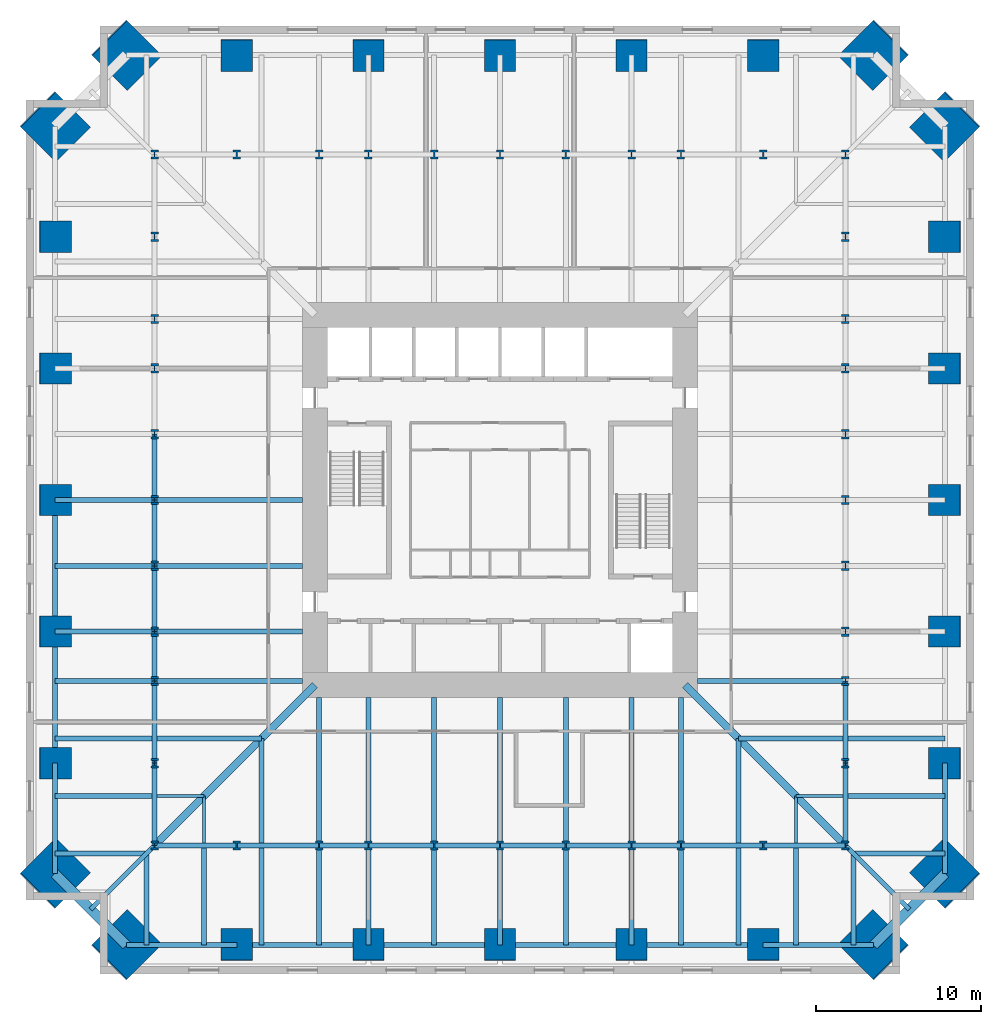
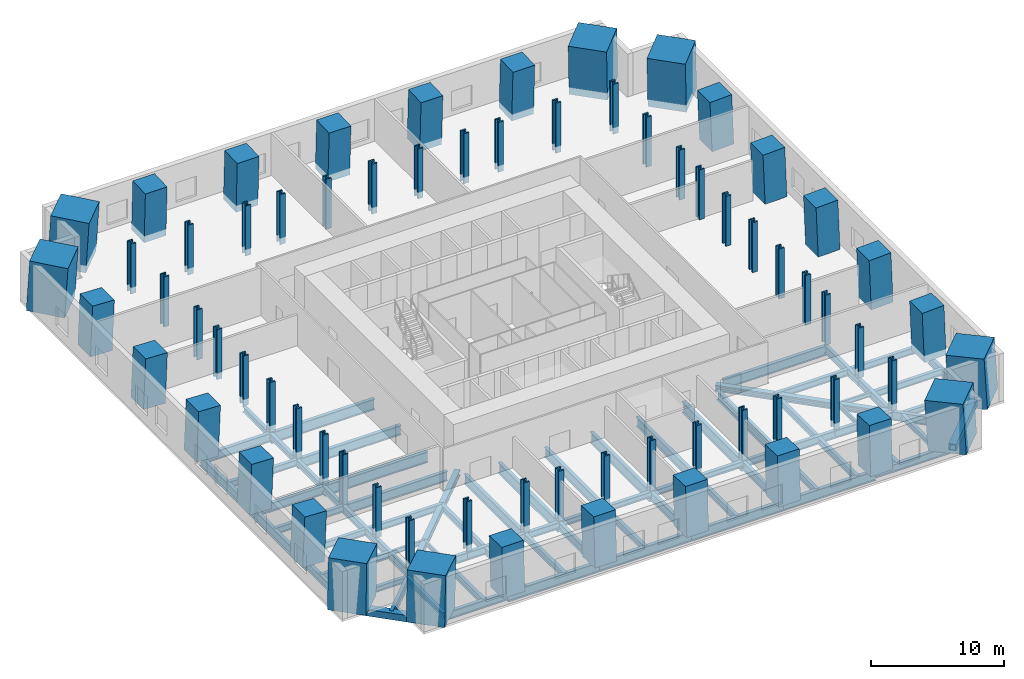
# One storey, part 1 of 8: 77 beams, 68 columns.
"""IFC4 building model written with IfcOpenShell, lengths in metres."""

from ifc_helpers import new_model, si_unit, direction, frame, origin, origin_2d, place, context, subcontext, project, spatial, rectangle, hollow_rectangle, i_section, extrude, material, material_profile, profile_set, type_object, element, save


model = new_model("IFC4")

# Units and contexts
model_context = context("Model", 3, precision=1e-05, world=origin(), true_north=direction((0.0, 1.0)))
body_context = subcontext(model_context, "Body", "Model", "MODEL_VIEW")
ifc_project = project(units=[si_unit("LENGTHUNIT", "METRE"), si_unit("AREAUNIT", "SQUARE_METRE"), si_unit("VOLUMEUNIT", "CUBIC_METRE"), si_unit("PLANEANGLEUNIT", "RADIAN"), si_unit("MASSUNIT", "GRAM", prefix="KILO")], contexts=[model_context])

# Site, building, storey
site_placement = place(None, origin())
site = spatial("IfcSite", under=ifc_project, at=site_placement, CompositionType="ELEMENT")
building_placement = place(site_placement, origin())
building = spatial("IfcBuilding", under=site, at=building_placement, Name="Peilmerk Tower", CompositionType="ELEMENT")
storey_placement = place(building_placement, frame((0.0, 0.0, 95.199951171875)))
storey = spatial("IfcBuildingStorey", under=building, at=storey_placement, Name="L18", CompositionType="ELEMENT", Elevation=95.199951171875)

# Columns
ifc_material_1 = material(Name="Concrete C90/105", Category="concrete")
ifc_material_profile_1 = material_profile(ifc_material_1, rectangle(XDim=3.0, YDim=3.0, at=origin_2d()), Name="RC 3000x3000")
ifc_profile_set_1 = profile_set([ifc_material_profile_1], Name="Concrete C90/105")
column_type_1 = type_object("IfcColumnType", Name="MC1 3000x3000 encased mega column", PredefinedType="COLUMN", material=ifc_profile_set_1)
for number, where, z_axis, x_axis, name in (
    (1, (22.7080078125, 27.05810546875, 0.0), (-0.040269957025, -0.040269957025, 0.998377013519), (0.707106781187, -0.707106781187, 0.0), "Mega column MC1 NE_N L18"),
    (2, (27.05810546875, 22.7080078125, 0.0), (-0.040269957025, -0.040269957025, 0.998377013519), (0.707106781187, -0.707106781187, 0.0), "Mega column MC1 NE_E L18"),
    (3, (27.05810546875, -22.7080078125, 0.0), (-0.040269957025, 0.040269957025, 0.998377013519), (-0.707106781187, -0.707106781187, 0.0), "Mega column MC1 SE_E L18"),
    (4, (22.7080078125, -27.05810546875, 0.0), (-0.040269957025, 0.040269957025, 0.998377013519), (-0.707106781187, -0.707106781187, 0.0), "Mega column MC1 SE_S L18"),
    (5, (-22.7080078125, -27.05810546875, 0.0), (0.040269957025, 0.040269957025, 0.998377013519), (-0.707106781187, 0.707106781187, 0.0), "Mega column MC1 SW_S L18"),
    (6, (-27.05810546875, -22.7080078125, 0.0), (0.040269957025, 0.040269957025, 0.998377013519), (-0.707106781187, 0.707106781187, 0.0), "Mega column MC1 SW_W L18"),
    (7, (-27.05810546875, 22.7080078125, 0.0), (0.040269957025, -0.040269957025, 0.998377013519), (0.707106781187, 0.707106781187, 0.0), "Mega column MC1 NW_W L18"),
    (8, (-22.7080078125, 27.05810546875, 0.0), (0.040269957025, -0.040269957025, 0.998377013519), (0.707106781187, 0.707106781187, 0.0), "Mega column MC1 NW_N L18"),
):
    element("IfcColumn", number, at=place(storey_placement, frame(where, z_axis=z_axis, x_axis=x_axis)), inside=storey, type_object=column_type_1, Name=name, PredefinedType="COLUMN", context=body_context, shape_type="SweptSolid", body=[
        extrude(rectangle(XDim=3.0, YDim=3.0, at=origin_2d()), origin(), (0.0, 0.0, 1.0), 4.607666015625),
    ])
ifc_material_profile_2 = material_profile(ifc_material_1, rectangle(XDim=1.89990234375, YDim=1.89990234375, at=origin_2d()), Name="RC 1900x1900")
ifc_profile_set_2 = profile_set([ifc_material_profile_2], Name="Concrete C90/105")
column_type_2 = type_object("IfcColumnType", Name="SC5 1900x1900 encased perimeter column", PredefinedType="COLUMN", material=ifc_profile_set_2)
for number, where, z_axis, x_axis, name in (
    (9, (0.0, 27.05810546875, 0.0), (0.0, -0.040302649072, 0.999187518176), (1.0, 0.0, 0.0), "Perimeter column N+0 L18"),
    (10, (8.0, 27.05810546875, 0.0), (0.0, -0.040302649072, 0.999187518176), (1.0, 0.0, 0.0), "Perimeter column N-8 L18"),
    (11, (-8.0, 27.05810546875, 0.0), (0.0, -0.040302649072, 0.999187518176), (1.0, 0.0, 0.0), "Perimeter column N+8 L18"),
    (12, (16.0, 27.05810546875, 0.0), (0.0, -0.040302649072, 0.999187518176), (1.0, 0.0, 0.0), "Perimeter column N-16 L18"),
    (13, (-16.0, 27.05810546875, 0.0), (0.0, -0.040302649072, 0.999187518176), (1.0, 0.0, 0.0), "Perimeter column N+16 L18"),
    (14, (27.05810546875, 0.0, 0.0), (-0.040302649072, 0.0, 0.999187518176), (0.0, -1.0, 0.0), "Perimeter column E+0 L18"),
    (15, (27.05810546875, -8.0, 0.0), (-0.040302649072, 0.0, 0.999187518176), (0.0, -1.0, 0.0), "Perimeter column E-8 L18"),
    (16, (27.05810546875, 8.0, 0.0), (-0.040302649072, 0.0, 0.999187518176), (0.0, -1.0, 0.0), "Perimeter column E+8 L18"),
    (17, (27.05810546875, -16.0, 0.0), (-0.040302649072, 0.0, 0.999187518176), (0.0, -1.0, 0.0), "Perimeter column E-16 L18"),
    (18, (27.05810546875, 16.0, 0.0), (-0.040302649072, 0.0, 0.999187518176), (0.0, -1.0, 0.0), "Perimeter column E+16 L18"),
    (19, (0.0, -27.05810546875, 0.0), (0.0, 0.040302649072, 0.999187518176), (-1.0, 0.0, 0.0), "Perimeter column S+0 L18"),
    (20, (-8.0, -27.05810546875, 0.0), (0.0, 0.040302649072, 0.999187518176), (-1.0, 0.0, 0.0), "Perimeter column S-8 L18"),
    (21, (8.0, -27.05810546875, 0.0), (0.0, 0.040302649072, 0.999187518176), (-1.0, 0.0, 0.0), "Perimeter column S+8 L18"),
    (22, (-16.0, -27.05810546875, 0.0), (0.0, 0.040302649072, 0.999187518176), (-1.0, 0.0, 0.0), "Perimeter column S-16 L18"),
    (23, (16.0, -27.05810546875, 0.0), (0.0, 0.040302649072, 0.999187518176), (-1.0, 0.0, 0.0), "Perimeter column S+16 L18"),
    (24, (-27.05810546875, 0.0, 0.0), (0.040302649072, 0.0, 0.999187518176), (0.0, 1.0, 0.0), "Perimeter column W+0 L18"),
    (25, (-27.05810546875, 8.0, 0.0), (0.040302649072, 0.0, 0.999187518176), (0.0, 1.0, 0.0), "Perimeter column W-8 L18"),
    (26, (-27.05810546875, -8.0, 0.0), (0.040302649072, 0.0, 0.999187518176), (0.0, 1.0, 0.0), "Perimeter column W+8 L18"),
    (27, (-27.05810546875, 16.0, 0.0), (0.040302649072, 0.0, 0.999187518176), (0.0, 1.0, 0.0), "Perimeter column W-16 L18"),
    (28, (-27.05810546875, -16.0, 0.0), (0.040302649072, 0.0, 0.999187518176), (0.0, 1.0, 0.0), "Perimeter column W+16 L18"),
):
    element("IfcColumn", number, at=place(storey_placement, frame(where, z_axis=z_axis, x_axis=x_axis)), inside=storey, type_object=column_type_2, Name=name, PredefinedType="COLUMN", context=body_context, shape_type="SweptSolid", body=[
        extrude(rectangle(XDim=1.89990234375, YDim=1.89990234375, at=origin_2d()), origin(), (0.0, 0.0, 1.0), 4.603759765625),
    ])
ifc_material_2 = material(Name="Steel S460", Category="steel")
ifc_material_profile_3 = material_profile(ifc_material_2, i_section(OverallWidth=0.4541015625, OverallDepth=0.569091796875, WebThickness=0.077880859375, FlangeThickness=0.125, at=origin_2d()), Name="HD 400x1086")
ifc_profile_set_3 = profile_set([ifc_material_profile_3], Name="Steel S460")
column_type_3 = type_object("IfcColumnType", Name="SC6 HD 400x1086 interior column", PredefinedType="COLUMN", material=ifc_profile_set_3)
for number, where, z_axis, x_axis, name in (
    (29, (0.0, 21.0, 0.0), (0.0, 0.0, 1.0), (1.0, 0.0, 0.0), "Interior column N+0 L18"),
    (30, (4.0, 21.0, 0.0), (0.0, 0.0, 1.0), (1.0, 0.0, 0.0), "Interior column N-4 L18"),
    (31, (-4.0, 21.0, 0.0), (0.0, 0.0, 1.0), (1.0, 0.0, 0.0), "Interior column N+4 L18"),
    (32, (8.0, 21.0, 0.0), (0.0, 0.0, 1.0), (1.0, 0.0, 0.0), "Interior column N-8 L18"),
    (33, (-8.0, 21.0, 0.0), (0.0, 0.0, 1.0), (1.0, 0.0, 0.0), "Interior column N+8 L18"),
    (34, (11.0, 21.0, 0.0), (0.0, 0.0, 1.0), (1.0, 0.0, 0.0), "Interior column N-11 L18"),
    (35, (-11.0, 21.0, 0.0), (0.0, 0.0, 1.0), (1.0, 0.0, 0.0), "Interior column N+11 L18"),
    (36, (16.0, 21.0, 0.0), (0.0, 0.0, 1.0), (1.0, 0.0, 0.0), "Interior column N-16 L18"),
    (37, (-16.0, 21.0, 0.0), (0.0, 0.0, 1.0), (1.0, 0.0, 0.0), "Interior column N+16 L18"),
    (38, (21.0, 0.0, 0.0), (0.0, 0.0, 1.0), (1.0, 0.0, 0.0), "Interior column E+0 L18"),
    (39, (21.0, -4.0, 0.0), (0.0, 0.0, 1.0), (1.0, 0.0, 0.0), "Interior column E-4 L18"),
    (40, (21.0, 4.0, 0.0), (0.0, 0.0, 1.0), (1.0, 0.0, 0.0), "Interior column E+4 L18"),
    (41, (21.0, -8.0, 0.0), (0.0, 0.0, 1.0), (1.0, 0.0, 0.0), "Interior column E-8 L18"),
    (42, (21.0, 8.0, 0.0), (0.0, 0.0, 1.0), (1.0, 0.0, 0.0), "Interior column E+8 L18"),
    (43, (21.0, -11.0, 0.0), (0.0, 0.0, 1.0), (1.0, 0.0, 0.0), "Interior column E-11 L18"),
    (44, (21.0, 11.0, 0.0), (0.0, 0.0, 1.0), (1.0, 0.0, 0.0), "Interior column E+11 L18"),
    (45, (21.0, -16.0, 0.0), (0.0, 0.0, 1.0), (1.0, 0.0, 0.0), "Interior column E-16 L18"),
    (46, (21.0, 16.0, 0.0), (0.0, 0.0, 1.0), (1.0, 0.0, 0.0), "Interior column E+16 L18"),
    (47, (0.0, -21.0, 0.0), (0.0, 0.0, 1.0), (1.0, 0.0, 0.0), "Interior column S+0 L18"),
    (48, (-4.0, -21.0, 0.0), (0.0, 0.0, 1.0), (1.0, 0.0, 0.0), "Interior column S-4 L18"),
    (49, (4.0, -21.0, 0.0), (0.0, 0.0, 1.0), (1.0, 0.0, 0.0), "Interior column S+4 L18"),
    (50, (-8.0, -21.0, 0.0), (0.0, 0.0, 1.0), (1.0, 0.0, 0.0), "Interior column S-8 L18"),
    (51, (8.0, -21.0, 0.0), (0.0, 0.0, 1.0), (1.0, 0.0, 0.0), "Interior column S+8 L18"),
    (52, (-11.0, -21.0, 0.0), (0.0, 0.0, 1.0), (1.0, 0.0, 0.0), "Interior column S-11 L18"),
    (53, (11.0, -21.0, 0.0), (0.0, 0.0, 1.0), (1.0, 0.0, 0.0), "Interior column S+11 L18"),
    (54, (-16.0, -21.0, 0.0), (0.0, 0.0, 1.0), (1.0, 0.0, 0.0), "Interior column S-16 L18"),
    (55, (16.0, -21.0, 0.0), (0.0, 0.0, 1.0), (1.0, 0.0, 0.0), "Interior column S+16 L18"),
    (56, (-21.0, 0.0, 0.0), (0.0, 0.0, 1.0), (1.0, 0.0, 0.0), "Interior column W+0 L18"),
    (57, (-21.0, 4.0, 0.0), (0.0, 0.0, 1.0), (1.0, 0.0, 0.0), "Interior column W-4 L18"),
    (58, (-21.0, -4.0, 0.0), (0.0, 0.0, 1.0), (1.0, 0.0, 0.0), "Interior column W+4 L18"),
    (59, (-21.0, 8.0, 0.0), (0.0, 0.0, 1.0), (1.0, 0.0, 0.0), "Interior column W-8 L18"),
    (60, (-21.0, -8.0, 0.0), (0.0, 0.0, 1.0), (1.0, 0.0, 0.0), "Interior column W+8 L18"),
    (61, (-21.0, 11.0, 0.0), (0.0, 0.0, 1.0), (1.0, 0.0, 0.0), "Interior column W-11 L18"),
    (62, (-21.0, -11.0, 0.0), (0.0, 0.0, 1.0), (1.0, 0.0, 0.0), "Interior column W+11 L18"),
    (63, (-21.0, 16.0, 0.0), (0.0, 0.0, 1.0), (1.0, 0.0, 0.0), "Interior column W-16 L18"),
    (64, (-21.0, -16.0, 0.0), (0.0, 0.0, 1.0), (1.0, 0.0, 0.0), "Interior column W+16 L18"),
    (65, (21.0, 21.0, 0.0), (0.0, 0.0, 1.0), (1.0, 0.0, 0.0), "Interior column NE L18"),
    (66, (21.0, -21.0, 0.0), (0.0, 0.0, 1.0), (1.0, 0.0, 0.0), "Interior column SE L18"),
    (67, (-21.0, -21.0, 0.0), (0.0, 0.0, 1.0), (1.0, 0.0, 0.0), "Interior column SW L18"),
    (68, (-21.0, 21.0, 0.0), (0.0, 0.0, 1.0), (1.0, 0.0, 0.0), "Interior column NW L18"),
):
    element("IfcColumn", number, at=place(storey_placement, frame(where, z_axis=z_axis, x_axis=x_axis)), inside=storey, type_object=column_type_3, Name=name, PredefinedType="COLUMN", context=body_context, shape_type="SweptSolid", body=[
        extrude(i_section(OverallWidth=0.4541015625, OverallDepth=0.569091796875, WebThickness=0.077880859375, FlangeThickness=0.125, at=origin_2d()), origin(), (0.0, 0.0, 1.0), 4.60009765625),
    ])

# Beams
ifc_material_3 = material(Name="Steel S355", Category="steel")
ifc_material_profile_4 = material_profile(ifc_material_3, i_section(OverallWidth=0.303955078125, OverallDepth=0.716064453125, WebThickness=0.02099609375, FlangeThickness=0.0400390625, at=origin_2d()), Name="HEM 700")
ifc_profile_set_4 = profile_set([ifc_material_profile_4], Name="Steel S355")
beam_type_1 = type_object("IfcBeamType", Name="B19 HEM 700 ring girder", PredefinedType="BEAM", material=ifc_profile_set_4)
for number, where, z_axis, x_axis, name in (
    (69, (21.0, -21.0, -0.557861328125), (0.0, 1.0, 0.0), (-1.0, 0.0, 0.0), "Ring girder L18"),
    (70, (21.0, -16.0, -0.557861328125), (0.0, 1.0, 0.0), (-1.0, 0.0, 0.0), "Ring girder L18"),
    (71, (-21.0, -21.0, -0.557861328125), (1.0, 0.0, 0.0), (0.0, 1.0, 0.0), "Ring girder L18"),
    (72, (-16.0, -21.0, -0.557861328125), (1.0, 0.0, 0.0), (0.0, 1.0, 0.0), "Ring girder L18"),
    (73, (11.0, -21.0, -0.557861328125), (1.0, 0.0, 0.0), (0.0, 1.0, 0.0), "Ring girder L18"),
    (74, (16.0, -21.0, -0.557861328125), (1.0, 0.0, 0.0), (0.0, 1.0, 0.0), "Ring girder L18"),
    (75, (-21.0, -11.0, -0.557861328125), (0.0, -1.0, 0.0), (1.0, 0.0, 0.0), "Ring girder L18"),
    (76, (-21.0, -16.0, -0.557861328125), (0.0, -1.0, 0.0), (1.0, 0.0, 0.0), "Ring girder L18"),
):
    element("IfcBeam", number, at=place(storey_placement, frame(where, z_axis=z_axis, x_axis=x_axis)), inside=storey, type_object=beam_type_1, Name=name, PredefinedType="BEAM", context=body_context, shape_type="SweptSolid", body=[
        extrude(i_section(OverallWidth=0.303955078125, OverallDepth=0.716064453125, WebThickness=0.02099609375, FlangeThickness=0.0400390625, at=origin_2d()), origin(), (0.0, 0.0, 1.0), 5.0),
    ])
ifc_material_profile_5 = material_profile(ifc_material_3, i_section(OverallWidth=0.302001953125, OverallDepth=0.909912109375, WebThickness=0.02099609375, FlangeThickness=0.0400390625, at=origin_2d()), Name="HEM 900")
ifc_profile_set_5 = profile_set([ifc_material_profile_5], Name="Steel S355")
beam_type_2 = type_object("IfcBeamType", Name="B2 HEM 900 edge beam", PredefinedType="SPANDREL", material=ifc_profile_set_5)
for number, where, z_axis, x_axis, name in (
    (77, (-16.0, -27.05810546875, -0.655029296875), (1.0, 0.0, 0.0), (0.0, 1.0, 0.0), "Edge beam L18"),
    (78, (-8.0, -27.05810546875, -0.655029296875), (1.0, 0.0, 0.0), (0.0, 1.0, 0.0), "Edge beam L18"),
    (79, (0.0, -27.05810546875, -0.655029296875), (1.0, 0.0, 0.0), (0.0, 1.0, 0.0), "Edge beam L18"),
    (80, (8.0, -27.05810546875, -0.655029296875), (1.0, 0.0, 0.0), (0.0, 1.0, 0.0), "Edge beam L18"),
    (81, (-27.05810546875, 0.0, -0.655029296875), (0.0, -1.0, 0.0), (1.0, 0.0, 0.0), "Edge beam L18"),
    (82, (-27.05810546875, -8.0, -0.655029296875), (0.0, -1.0, 0.0), (1.0, 0.0, 0.0), "Edge beam L18"),
):
    element("IfcBeam", number, at=place(storey_placement, frame(where, z_axis=z_axis, x_axis=x_axis)), inside=storey, type_object=beam_type_2, Name=name, PredefinedType="SPANDREL", context=body_context, shape_type="SweptSolid", body=[
        extrude(i_section(OverallWidth=0.302001953125, OverallDepth=0.909912109375, WebThickness=0.02099609375, FlangeThickness=0.0400390625, at=origin_2d()), origin(), (0.0, 0.0, 1.0), 8.0),
    ])
ifc_material_profile_6 = material_profile(ifc_material_2, hollow_rectangle(XDim=0.60009765625, YDim=0.60009765625, WallThickness=0.06005859375, at=origin_2d()), Name="BOX 600x600x60")
ifc_profile_set_6 = profile_set([ifc_material_profile_6], Name="Steel S460")
beam_type_3 = type_object("IfcBeamType", Name="B20 BOX 600x600x60 notch beam", PredefinedType="SPANDREL", material=ifc_profile_set_6)
for number, where, z_axis, x_axis, name in (
    (83, (27.05810546875, -22.7080078125, -0.5), (-0.707106781187, -0.707106781187, 0.0), (0.707106781187, -0.707106781187, 0.0), "Notch beam L18"),
    (84, (-22.7080078125, -27.05810546875, -0.5), (-0.707106781187, 0.707106781187, 0.0), (-0.707106781187, -0.707106781187, 0.0), "Notch beam L18"),
):
    element("IfcBeam", number, at=place(storey_placement, frame(where, z_axis=z_axis, x_axis=x_axis)), inside=storey, type_object=beam_type_3, Name=name, PredefinedType="SPANDREL", context=body_context, shape_type="SweptSolid", body=[
        extrude(hollow_rectangle(XDim=0.60009765625, YDim=0.60009765625, WallThickness=0.06005859375, at=origin_2d()), origin(), (0.0, 0.0, 1.0), 6.15185546875),
    ])
ifc_material_profile_7 = material_profile(ifc_material_3, i_section(OverallWidth=0.302001953125, OverallDepth=1.008056640625, WebThickness=0.02099609375, FlangeThickness=0.0400390625, at=origin_2d()), Name="HEM 1000")
ifc_profile_set_7 = profile_set([ifc_material_profile_7], Name="Steel S355")
beam_type_4 = type_object("IfcBeamType", Name="B24 HEM 1000 floor girder", PredefinedType="BEAM", material=ifc_profile_set_7)
for number, where, z_axis, x_axis, name in (
    (85, (-8.0, -12.0, -0.703857421875), (0.0, -1.0, 0.0), (1.0, 0.0, 0.0), "Floor girder L18"),
    (86, (0.0, -12.0, -0.703857421875), (0.0, -1.0, 0.0), (1.0, 0.0, 0.0), "Floor girder L18"),
    (87, (8.0, -12.0, -0.703857421875), (0.0, -1.0, 0.0), (1.0, 0.0, 0.0), "Floor girder L18"),
    (88, (-12.0, 0.0, -0.703857421875), (-1.0, 0.0, 0.0), (0.0, -1.0, 0.0), "Floor girder L18"),
    (89, (-12.0, -8.0, -0.703857421875), (-1.0, 0.0, 0.0), (0.0, -1.0, 0.0), "Floor girder L18"),
):
    element("IfcBeam", number, at=place(storey_placement, frame(where, z_axis=z_axis, x_axis=x_axis)), inside=storey, type_object=beam_type_4, Name=name, PredefinedType="BEAM", context=body_context, shape_type="SweptSolid", body=[
        extrude(i_section(OverallWidth=0.302001953125, OverallDepth=1.008056640625, WebThickness=0.02099609375, FlangeThickness=0.0400390625, at=origin_2d()), origin(), (0.0, 0.0, 1.0), 9.0),
    ])
ifc_material_profile_8 = material_profile(ifc_material_3, i_section(OverallWidth=0.300048828125, OverallDepth=0.590087890625, WebThickness=0.012939453125, FlangeThickness=0.02490234375, at=origin_2d()), Name="HEA 600")
ifc_profile_set_8 = profile_set([ifc_material_profile_8], Name="Steel S355")
beam_type_5 = type_object("IfcBeamType", Name="B27 HEA 600 floor beam", PredefinedType="BEAM", material=ifc_profile_set_8)
for number, where, z_axis, x_axis, name in (
    (90, (-11.0, -21.0, -0.494873046875), (0.0, -1.0, 0.0), (1.0, 0.0, 0.0), "Floor beam L18"),
    (91, (-4.0, -21.0, -0.494873046875), (0.0, -1.0, 0.0), (1.0, 0.0, 0.0), "Floor beam L18"),
    (92, (4.0, -21.0, -0.494873046875), (0.0, -1.0, 0.0), (1.0, 0.0, 0.0), "Floor beam L18"),
    (93, (11.0, -21.0, -0.494873046875), (0.0, -1.0, 0.0), (1.0, 0.0, 0.0), "Floor beam L18"),
    (94, (-21.0, -4.0, -0.494873046875), (-1.0, 0.0, 0.0), (0.0, -1.0, 0.0), "Floor beam L18"),
    (95, (-21.0, -11.0, -0.494873046875), (-1.0, 0.0, 0.0), (0.0, -1.0, 0.0), "Floor beam L18"),
):
    element("IfcBeam", number, at=place(storey_placement, frame(where, z_axis=z_axis, x_axis=x_axis)), inside=storey, type_object=beam_type_5, Name=name, PredefinedType="BEAM", context=body_context, shape_type="SweptSolid", body=[
        extrude(i_section(OverallWidth=0.300048828125, OverallDepth=0.590087890625, WebThickness=0.012939453125, FlangeThickness=0.02490234375, at=origin_2d()), origin(), (0.0, 0.0, 1.0), 6.05810546875),
    ])
beam_1_placement = place(storey_placement, frame((14.5, -14.5, -0.494873046875), z_axis=(0.0, -1.0, 0.0), x_axis=(1.0, 0.0, 0.0)))
element("IfcBeam", 96, at=beam_1_placement, inside=storey, type_object=beam_type_5, Name="Floor beam L18", PredefinedType="BEAM", context=body_context, shape_type="SweptSolid", body=[
    extrude(i_section(OverallWidth=0.300048828125, OverallDepth=0.590087890625, WebThickness=0.012939453125, FlangeThickness=0.02490234375, at=origin_2d()), origin(), (0.0, 0.0, 1.0), 6.347900390625),
])
beam_2_placement = place(storey_placement, frame((14.5, -21.152099609375, -0.494873046875), z_axis=(0.0, -1.0, 0.0), x_axis=(1.0, 0.0, 0.0)))
element("IfcBeam", 97, at=beam_2_placement, inside=storey, type_object=beam_type_5, Name="Floor beam L18", PredefinedType="BEAM", context=body_context, shape_type="SweptSolid", body=[
    extrude(i_section(OverallWidth=0.300048828125, OverallDepth=0.590087890625, WebThickness=0.012939453125, FlangeThickness=0.02490234375, at=origin_2d()), origin(), (0.0, 0.0, 1.0), 5.906005859375),
])
beam_3_placement = place(storey_placement, frame((14.5, -14.5, -0.494873046875), z_axis=(1.0, 0.0, 0.0), x_axis=(0.0, 1.0, 0.0)))
element("IfcBeam", 98, at=beam_3_placement, inside=storey, type_object=beam_type_5, Name="Floor beam L18", PredefinedType="BEAM", context=body_context, shape_type="SweptSolid", body=[
    extrude(i_section(OverallWidth=0.300048828125, OverallDepth=0.590087890625, WebThickness=0.012939453125, FlangeThickness=0.02490234375, at=origin_2d()), origin(), (0.0, 0.0, 1.0), 6.347900390625),
])
for number, where, z_axis, x_axis, name in (
    (99, (21.152099609375, -14.5, -0.494873046875), (1.0, 0.0, 0.0), (0.0, 1.0, 0.0), "Floor beam L18"),
    (100, (18.0, -21.152099609375, -0.494873046875), (0.0, -1.0, 0.0), (1.0, 0.0, 0.0), "Floor beam L18"),
    (101, (21.152099609375, -18.0, -0.494873046875), (1.0, 0.0, 0.0), (0.0, 1.0, 0.0), "Floor beam L18"),
):
    element("IfcBeam", number, at=place(storey_placement, frame(where, z_axis=z_axis, x_axis=x_axis)), inside=storey, type_object=beam_type_5, Name=name, PredefinedType="BEAM", context=body_context, shape_type="SweptSolid", body=[
        extrude(i_section(OverallWidth=0.300048828125, OverallDepth=0.590087890625, WebThickness=0.012939453125, FlangeThickness=0.02490234375, at=origin_2d()), origin(), (0.0, 0.0, 1.0), 5.906005859375),
    ])
beam_4_placement = place(storey_placement, frame((-14.5, -14.5, -0.494873046875), z_axis=(0.0, -1.0, 0.0), x_axis=(1.0, 0.0, 0.0)))
element("IfcBeam", 102, at=beam_4_placement, inside=storey, type_object=beam_type_5, Name="Floor beam L18", PredefinedType="BEAM", context=body_context, shape_type="SweptSolid", body=[
    extrude(i_section(OverallWidth=0.300048828125, OverallDepth=0.590087890625, WebThickness=0.012939453125, FlangeThickness=0.02490234375, at=origin_2d()), origin(), (0.0, 0.0, 1.0), 6.347900390625),
])
beam_5_placement = place(storey_placement, frame((-14.5, -21.152099609375, -0.494873046875), z_axis=(0.0, -1.0, 0.0), x_axis=(1.0, 0.0, 0.0)))
element("IfcBeam", 103, at=beam_5_placement, inside=storey, type_object=beam_type_5, Name="Floor beam L18", PredefinedType="BEAM", context=body_context, shape_type="SweptSolid", body=[
    extrude(i_section(OverallWidth=0.300048828125, OverallDepth=0.590087890625, WebThickness=0.012939453125, FlangeThickness=0.02490234375, at=origin_2d()), origin(), (0.0, 0.0, 1.0), 5.906005859375),
])
beam_6_placement = place(storey_placement, frame((-14.5, -14.5, -0.494873046875), z_axis=(-1.0, 0.0, 0.0), x_axis=(0.0, -1.0, 0.0)))
element("IfcBeam", 104, at=beam_6_placement, inside=storey, type_object=beam_type_5, Name="Floor beam L18", PredefinedType="BEAM", context=body_context, shape_type="SweptSolid", body=[
    extrude(i_section(OverallWidth=0.300048828125, OverallDepth=0.590087890625, WebThickness=0.012939453125, FlangeThickness=0.02490234375, at=origin_2d()), origin(), (0.0, 0.0, 1.0), 6.347900390625),
])
for number, where, z_axis, x_axis, name in (
    (105, (-21.152099609375, -14.5, -0.494873046875), (-1.0, 0.0, 0.0), (0.0, -1.0, 0.0), "Floor beam L18"),
    (106, (-18.0, -21.152099609375, -0.494873046875), (0.0, -1.0, 0.0), (1.0, 0.0, 0.0), "Floor beam L18"),
    (107, (-21.152099609375, -18.0, -0.494873046875), (-1.0, 0.0, 0.0), (0.0, -1.0, 0.0), "Floor beam L18"),
):
    element("IfcBeam", number, at=place(storey_placement, frame(where, z_axis=z_axis, x_axis=x_axis)), inside=storey, type_object=beam_type_5, Name=name, PredefinedType="BEAM", context=body_context, shape_type="SweptSolid", body=[
        extrude(i_section(OverallWidth=0.300048828125, OverallDepth=0.590087890625, WebThickness=0.012939453125, FlangeThickness=0.02490234375, at=origin_2d()), origin(), (0.0, 0.0, 1.0), 5.906005859375),
    ])
ifc_material_profile_9 = material_profile(ifc_material_3, i_section(OverallWidth=0.179931640625, OverallDepth=0.39990234375, WebThickness=0.008544921875, FlangeThickness=0.013427734375, at=origin_2d()), Name="IPE 400")
ifc_profile_set_9 = profile_set([ifc_material_profile_9], Name="Steel S355")
beam_type_6 = type_object("IfcBeamType", Name="B28 IPE 400 floor beam", PredefinedType="BEAM", material=ifc_profile_set_9)
for number, where, z_axis, x_axis, name in (
    (108, (18.0, -18.0, -0.39990234375), (0.0, -1.0, 0.0), (1.0, 0.0, 0.0), "Floor beam L18"),
    (109, (18.0, -18.0, -0.39990234375), (1.0, 0.0, 0.0), (0.0, 1.0, 0.0), "Floor beam L18"),
    (110, (-18.0, -18.0, -0.39990234375), (0.0, -1.0, 0.0), (1.0, 0.0, 0.0), "Floor beam L18"),
    (111, (-18.0, -18.0, -0.39990234375), (-1.0, 0.0, 0.0), (0.0, -1.0, 0.0), "Floor beam L18"),
):
    element("IfcBeam", number, at=place(storey_placement, frame(where, z_axis=z_axis, x_axis=x_axis)), inside=storey, type_object=beam_type_6, Name=name, PredefinedType="BEAM", context=body_context, shape_type="SweptSolid", body=[
        extrude(i_section(OverallWidth=0.179931640625, OverallDepth=0.39990234375, WebThickness=0.008544921875, FlangeThickness=0.013427734375, at=origin_2d()), origin(), (0.0, 0.0, 1.0), 2.847900390625),
    ])
ifc_material_profile_10 = material_profile(ifc_material_3, i_section(OverallWidth=0.300048828125, OverallDepth=0.489990234375, WebThickness=0.011962890625, FlangeThickness=0.02294921875, at=origin_2d()), Name="HEA 500")
ifc_profile_set_10 = profile_set([ifc_material_profile_10], Name="Steel S355")
beam_type_7 = type_object("IfcBeamType", Name="B29 HEA 500 floor beam", PredefinedType="BEAM", material=ifc_profile_set_10)
for number, where, z_axis, x_axis, name in (
    (112, (21.5, -21.5, -0.445068359375), (0.0, -1.0, 0.0), (1.0, 0.0, 0.0), "Floor beam L18"),
    (113, (21.5, -21.5, -0.445068359375), (1.0, 0.0, 0.0), (0.0, 1.0, 0.0), "Floor beam L18"),
    (114, (-21.5, -21.5, -0.445068359375), (0.0, -1.0, 0.0), (1.0, 0.0, 0.0), "Floor beam L18"),
    (115, (-21.5, -21.5, -0.445068359375), (-1.0, 0.0, 0.0), (0.0, -1.0, 0.0), "Floor beam L18"),
):
    element("IfcBeam", number, at=place(storey_placement, frame(where, z_axis=z_axis, x_axis=x_axis)), inside=storey, type_object=beam_type_7, Name=name, PredefinedType="BEAM", context=body_context, shape_type="SweptSolid", body=[
        extrude(i_section(OverallWidth=0.300048828125, OverallDepth=0.489990234375, WebThickness=0.011962890625, FlangeThickness=0.02294921875, at=origin_2d()), origin(), (0.0, 0.0, 1.0), 5.55810546875),
    ])
ifc_material_profile_11 = material_profile(ifc_material_3, i_section(OverallWidth=0.300048828125, OverallDepth=0.7900390625, WebThickness=0.014892578125, FlangeThickness=0.028076171875, at=origin_2d()), Name="HEA 800")
ifc_profile_set_11 = profile_set([ifc_material_profile_11], Name="Steel S355")
beam_type_8 = type_object("IfcBeamType", Name="B3 HEA 800 floor beam", PredefinedType="BEAM", material=ifc_profile_set_11)
for number, where, z_axis, x_axis, name in (
    (116, (-8.0, -21.0, -0.594970703125), (0.0, -1.0, 0.0), (1.0, 0.0, 0.0), "Floor girder L18"),
    (117, (0.0, -21.0, -0.594970703125), (0.0, -1.0, 0.0), (1.0, 0.0, 0.0), "Floor girder L18"),
    (118, (8.0, -21.0, -0.594970703125), (0.0, -1.0, 0.0), (1.0, 0.0, 0.0), "Floor girder L18"),
    (119, (-21.0, 0.0, -0.594970703125), (-1.0, 0.0, 0.0), (0.0, -1.0, 0.0), "Floor girder L18"),
    (120, (-21.0, -8.0, -0.594970703125), (-1.0, 0.0, 0.0), (0.0, -1.0, 0.0), "Floor girder L18"),
):
    element("IfcBeam", number, at=place(storey_placement, frame(where, z_axis=z_axis, x_axis=x_axis)), inside=storey, type_object=beam_type_8, Name=name, PredefinedType="BEAM", context=body_context, shape_type="SweptSolid", body=[
        extrude(i_section(OverallWidth=0.300048828125, OverallDepth=0.7900390625, WebThickness=0.014892578125, FlangeThickness=0.028076171875, at=origin_2d()), origin(), (0.0, 0.0, 1.0), 6.05810546875),
    ])
for number, where, z_axis, x_axis, name in (
    (121, (21.0, -21.0, -0.594970703125), (0.707106781187, -0.707106781187, 0.0), (0.707106781187, 0.707106781187, 0.0), "Corner girder L18"),
    (122, (-21.0, -21.0, -0.594970703125), (-0.707106781187, -0.707106781187, 0.0), (0.707106781187, -0.707106781187, 0.0), "Corner girder L18"),
):
    element("IfcBeam", number, at=place(storey_placement, frame(where, z_axis=z_axis, x_axis=x_axis)), inside=storey, type_object=beam_type_8, Name=name, PredefinedType="BEAM", context=body_context, shape_type="SweptSolid", body=[
        extrude(i_section(OverallWidth=0.300048828125, OverallDepth=0.7900390625, WebThickness=0.014892578125, FlangeThickness=0.028076171875, at=origin_2d()), origin(), (0.0, 0.0, 1.0), 5.491455078125),
    ])
ifc_material_profile_12 = material_profile(ifc_material_3, i_section(OverallWidth=0.303955078125, OverallDepth=0.716064453125, WebThickness=0.02099609375, FlangeThickness=0.0400390625, at=origin_2d()), Name="HEM 700")
ifc_profile_set_12 = profile_set([ifc_material_profile_12], Name="Steel S355")
beam_type_9 = type_object("IfcBeamType", Name="B30 HEM 700 edge beam", PredefinedType="SPANDREL", material=ifc_profile_set_12)
for number, where, z_axis, x_axis, name in (
    (123, (27.05810546875, -22.7080078125, -0.557861328125), (0.0, 1.0, 0.0), (-1.0, 0.0, 0.0), "Edge beam L18"),
    (124, (-22.7080078125, -27.05810546875, -0.557861328125), (1.0, 0.0, 0.0), (0.0, 1.0, 0.0), "Edge beam L18"),
    (125, (16.0, -27.05810546875, -0.557861328125), (1.0, 0.0, 0.0), (0.0, 1.0, 0.0), "Edge beam L18"),
    (126, (-27.05810546875, -16.0, -0.557861328125), (0.0, -1.0, 0.0), (1.0, 0.0, 0.0), "Edge beam L18"),
):
    element("IfcBeam", number, at=place(storey_placement, frame(where, z_axis=z_axis, x_axis=x_axis)), inside=storey, type_object=beam_type_9, Name=name, PredefinedType="SPANDREL", context=body_context, shape_type="SweptSolid", body=[
        extrude(i_section(OverallWidth=0.303955078125, OverallDepth=0.716064453125, WebThickness=0.02099609375, FlangeThickness=0.0400390625, at=origin_2d()), origin(), (0.0, 0.0, 1.0), 6.7080078125),
    ])
ifc_material_profile_13 = material_profile(ifc_material_3, i_section(OverallWidth=0.300048828125, OverallDepth=0.889892578125, WebThickness=0.01611328125, FlangeThickness=0.030029296875, at=origin_2d()), Name="HEA 900")
ifc_profile_set_13 = profile_set([ifc_material_profile_13], Name="Steel S355")
beam_type_10 = type_object("IfcBeamType", Name="B4 HEA 900 floor beam", PredefinedType="BEAM", material=ifc_profile_set_13)
for number, where, z_axis, x_axis, name in (
    (127, (12.0, -11.0, -0.64501953125), (1.0, 0.0, 0.0), (0.0, 1.0, 0.0), "Floor beam L18"),
    (128, (-11.0, -12.0, -0.64501953125), (0.0, -1.0, 0.0), (1.0, 0.0, 0.0), "Floor beam L18"),
    (129, (-4.0, -12.0, -0.64501953125), (0.0, -1.0, 0.0), (1.0, 0.0, 0.0), "Floor beam L18"),
    (130, (4.0, -12.0, -0.64501953125), (0.0, -1.0, 0.0), (1.0, 0.0, 0.0), "Floor beam L18"),
    (131, (11.0, -12.0, -0.64501953125), (0.0, -1.0, 0.0), (1.0, 0.0, 0.0), "Floor beam L18"),
    (132, (-12.0, -4.0, -0.64501953125), (-1.0, 0.0, 0.0), (0.0, -1.0, 0.0), "Floor beam L18"),
    (133, (-12.0, -11.0, -0.64501953125), (-1.0, 0.0, 0.0), (0.0, -1.0, 0.0), "Floor beam L18"),
):
    element("IfcBeam", number, at=place(storey_placement, frame(where, z_axis=z_axis, x_axis=x_axis)), inside=storey, type_object=beam_type_10, Name=name, PredefinedType="BEAM", context=body_context, shape_type="SweptSolid", body=[
        extrude(i_section(OverallWidth=0.300048828125, OverallDepth=0.889892578125, WebThickness=0.01611328125, FlangeThickness=0.030029296875, at=origin_2d()), origin(), (0.0, 0.0, 1.0), 9.0),
    ])
ifc_material_profile_14 = material_profile(ifc_material_3, i_section(OverallWidth=0.304931640625, OverallDepth=0.6201171875, WebThickness=0.02099609375, FlangeThickness=0.0400390625, at=origin_2d()), Name="HEM 600")
ifc_profile_set_14 = profile_set([ifc_material_profile_14], Name="Steel S355")
beam_type_11 = type_object("IfcBeamType", Name="B6 HEM 600 ring girder", PredefinedType="BEAM", material=ifc_profile_set_14)
for number, where, z_axis, x_axis, name in (
    (134, (-11.0, -21.0, -0.510009765625), (1.0, 0.0, 0.0), (0.0, 1.0, 0.0), "Ring girder L18"),
    (135, (8.0, -21.0, -0.510009765625), (1.0, 0.0, 0.0), (0.0, 1.0, 0.0), "Ring girder L18"),
    (136, (-21.0, -8.0, -0.510009765625), (0.0, -1.0, 0.0), (1.0, 0.0, 0.0), "Ring girder L18"),
):
    element("IfcBeam", number, at=place(storey_placement, frame(where, z_axis=z_axis, x_axis=x_axis)), inside=storey, type_object=beam_type_11, Name=name, PredefinedType="BEAM", context=body_context, shape_type="SweptSolid", body=[
        extrude(i_section(OverallWidth=0.304931640625, OverallDepth=0.6201171875, WebThickness=0.02099609375, FlangeThickness=0.0400390625, at=origin_2d()), origin(), (0.0, 0.0, 1.0), 3.0),
    ])
ifc_material_profile_15 = material_profile(ifc_material_3, i_section(OverallWidth=0.305908203125, OverallDepth=0.52392578125, WebThickness=0.02099609375, FlangeThickness=0.0400390625, at=origin_2d()), Name="HEM 500")
ifc_profile_set_15 = profile_set([ifc_material_profile_15], Name="Steel S355")
beam_type_12 = type_object("IfcBeamType", Name="B7 HEM 500 ring girder", PredefinedType="BEAM", material=ifc_profile_set_15)
for number, where, z_axis, x_axis, name in (
    (137, (-8.0, -21.0, -0.4619140625), (1.0, 0.0, 0.0), (0.0, 1.0, 0.0), "Ring girder L18"),
    (138, (-4.0, -21.0, -0.4619140625), (1.0, 0.0, 0.0), (0.0, 1.0, 0.0), "Ring girder L18"),
    (139, (0.0, -21.0, -0.4619140625), (1.0, 0.0, 0.0), (0.0, 1.0, 0.0), "Ring girder L18"),
    (140, (4.0, -21.0, -0.4619140625), (1.0, 0.0, 0.0), (0.0, 1.0, 0.0), "Ring girder L18"),
    (141, (-21.0, 4.0, -0.4619140625), (0.0, -1.0, 0.0), (1.0, 0.0, 0.0), "Ring girder L18"),
    (142, (-21.0, 0.0, -0.4619140625), (0.0, -1.0, 0.0), (1.0, 0.0, 0.0), "Ring girder L18"),
    (143, (-21.0, -4.0, -0.4619140625), (0.0, -1.0, 0.0), (1.0, 0.0, 0.0), "Ring girder L18"),
):
    element("IfcBeam", number, at=place(storey_placement, frame(where, z_axis=z_axis, x_axis=x_axis)), inside=storey, type_object=beam_type_12, Name=name, PredefinedType="BEAM", context=body_context, shape_type="SweptSolid", body=[
        extrude(i_section(OverallWidth=0.305908203125, OverallDepth=0.52392578125, WebThickness=0.02099609375, FlangeThickness=0.0400390625, at=origin_2d()), origin(), (0.0, 0.0, 1.0), 4.0),
    ])
ifc_material_profile_16 = material_profile(ifc_material_2, i_section(OverallWidth=0.4541015625, OverallDepth=0.569091796875, WebThickness=0.077880859375, FlangeThickness=0.125, at=origin_2d()), Name="HD 400x1086")
ifc_profile_set_16 = profile_set([ifc_material_profile_16], Name="Steel S460")
beam_type_13 = type_object("IfcBeamType", Name="B9 HD 400x1086 corner girder", PredefinedType="BEAM", material=ifc_profile_set_16)
for number, where, z_axis, x_axis, name in (
    (144, (11.25, -11.25, -0.484375), (0.707106781187, -0.707106781187, 0.0), (0.707106781187, 0.707106781187, 0.0), "Corner girder L18"),
    (145, (-11.25, -11.25, -0.484375), (-0.707106781187, -0.707106781187, 0.0), (0.707106781187, -0.707106781187, 0.0), "Corner girder L18"),
):
    element("IfcBeam", number, at=place(storey_placement, frame(where, z_axis=z_axis, x_axis=x_axis)), inside=storey, type_object=beam_type_13, Name=name, PredefinedType="BEAM", context=body_context, shape_type="SweptSolid", body=[
        extrude(i_section(OverallWidth=0.4541015625, OverallDepth=0.569091796875, WebThickness=0.077880859375, FlangeThickness=0.125, at=origin_2d()), origin(), (0.0, 0.0, 1.0), 13.78857421875),
    ])

save(model, "model.ifc")
